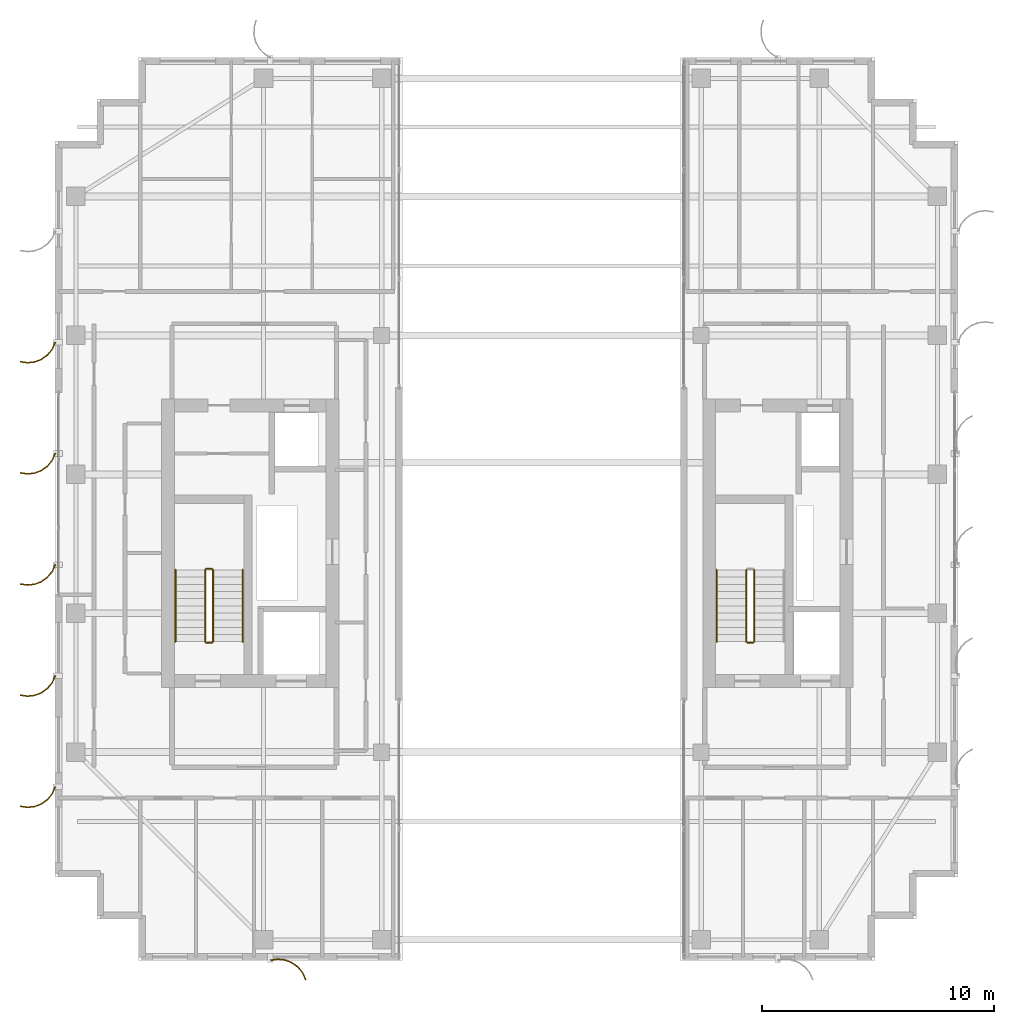
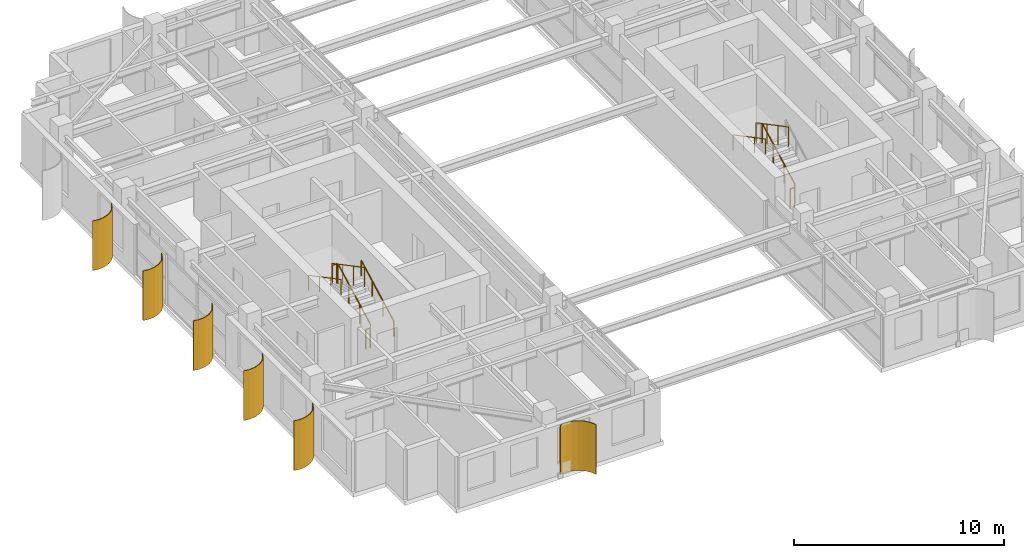
# One storey, part 23 of 25: 10 railings, 6 shading devices.
"""IFC4 building model written with IfcOpenShell, lengths in metres."""

from ifc_helpers import new_model, si_unit, direction, frame, origin, origin_2d, place, context, subcontext, project, spatial, polyline, circle, outline, extrude, source, transform, mapped, material, layer, layer_set, type_object, element, save


model = new_model("IFC4")

# Units and contexts
model_context = context("Model", 3, precision=1e-05, world=origin(), true_north=direction((0.0, 1.0)))
body_context = subcontext(model_context, "Body", "Model", "MODEL_VIEW")
ifc_project = project(units=[si_unit("LENGTHUNIT", "METRE"), si_unit("AREAUNIT", "SQUARE_METRE"), si_unit("VOLUMEUNIT", "CUBIC_METRE"), si_unit("PLANEANGLEUNIT", "RADIAN"), si_unit("MASSUNIT", "GRAM", prefix="KILO")], contexts=[model_context])

# Site, building, storey
site_placement = place(None, origin())
site = spatial("IfcSite", under=ifc_project, at=site_placement, CompositionType="ELEMENT")
building_placement = place(site_placement, origin())
building = spatial("IfcBuilding", under=site, at=building_placement, Name="Khoralis Quay Care Tower", CompositionType="ELEMENT")
storey_placement = place(building_placement, frame((0.0, 0.0, 263.699951171875)))
storey = spatial("IfcBuildingStorey", under=building, at=storey_placement, Name="L69", CompositionType="ELEMENT", Elevation=263.699951171875)

# Railings
ifc_material_1 = material(Name="Brushed stainless steel", Category="steel")
railing_type_1 = type_object("IfcRailingType", Name="RL-GUARD-1150", PredefinedType="GUARDRAIL", material=ifc_material_1)
railing_1_placement = place(storey_placement, frame((9.820068359375, 16.77001953125, 0.16357421875)))
element("IfcRailing", 1, at=railing_1_placement, inside=storey, type_object=railing_type_1, Name="L69 ST-T1 stair guard 1", PredefinedType="GUARDRAIL", context=body_context, shape_type="SweptSolid", body=[
    extrude(circle(Radius=0.02392578125, at=origin_2d()), frame((0.0, 0.0, 1.1259765625), z_axis=(0.0, 0.884348015382, 0.466828220752), x_axis=(-1.0, 0.0, 0.0)), (0.0, 0.0, 1.0), 3.505615234375),
    extrude(circle(Radius=0.02099609375, at=origin_2d()), origin(), (0.0, 0.0, 1.0), 1.101806640625),
    extrude(circle(Radius=0.02099609375, at=origin_2d()), frame((0.0, 1.033447265625, 0.54541015625)), (0.0, 0.0, 1.0), 1.101806640625),
    extrude(circle(Radius=0.02099609375, at=origin_2d()), frame((0.0, 2.066650390625, 1.091064453125)), (0.0, 0.0, 1.0), 1.101806640625),
    extrude(circle(Radius=0.02099609375, at=origin_2d()), frame((0.0, 3.10009765625, 1.636474609375)), (0.0, 0.0, 1.0), 1.101806640625),
])
railing_2_placement = place(storey_placement, frame((9.77001953125, 19.919921875, 1.800048828125)))
element("IfcRailing", 2, at=railing_2_placement, inside=storey, type_object=railing_type_1, Name="L69 ST-T1 stair guard 2", PredefinedType="GUARDRAIL", context=body_context, shape_type="SweptSolid", body=[
    extrude(circle(Radius=0.02392578125, at=origin_2d()), frame((0.0, 0.0, 1.1259765625), z_axis=(-1.0, 0.0, 0.0), x_axis=(0.0, -1.0, 0.0)), (0.0, 0.0, 1.0), 0.239990234375),
    extrude(circle(Radius=0.02099609375, at=origin_2d()), origin(), (0.0, 0.0, 1.0), 1.101806640625),
    extrude(circle(Radius=0.02099609375, at=origin_2d()), frame((-0.239990234375, 0.0, 0.0)), (0.0, 0.0, 1.0), 1.101806640625),
])
railing_3_placement = place(storey_placement, frame((9.47998046875, 19.8701171875, 1.963623046875)))
element("IfcRailing", 3, at=railing_3_placement, inside=storey, type_object=railing_type_1, Name="L69 ST-T1 stair guard 3", PredefinedType="GUARDRAIL", context=body_context, shape_type="SweptSolid", body=[
    extrude(circle(Radius=0.02392578125, at=origin_2d()), frame((0.0, 0.0, 1.1259765625), z_axis=(0.0, -0.884348015382, 0.466828220752), x_axis=(1.0, 0.0, 0.0)), (0.0, 0.0, 1.0), 3.505615234375),
    extrude(circle(Radius=0.02099609375, at=origin_2d()), origin(), (0.0, 0.0, 1.0), 1.101806640625),
    extrude(circle(Radius=0.02099609375, at=origin_2d()), frame((0.0, -1.033447265625, 0.54541015625)), (0.0, 0.0, 1.0), 1.101806640625),
    extrude(circle(Radius=0.02099609375, at=origin_2d()), frame((0.0, -2.066650390625, 1.091064453125)), (0.0, 0.0, 1.0), 1.101806640625),
    extrude(circle(Radius=0.02099609375, at=origin_2d()), frame((0.0, -3.10009765625, 1.636474609375)), (0.0, 0.0, 1.0), 1.101806640625),
])
railing_4_placement = place(storey_placement, frame((9.77001953125, 16.719970703125, 0.0)))
element("IfcRailing", 4, at=railing_4_placement, inside=storey, type_object=railing_type_1, Name="L69 ST-T1 stair guard 4", PredefinedType="GUARDRAIL", context=body_context, shape_type="SweptSolid", body=[
    extrude(circle(Radius=0.02392578125, at=origin_2d()), frame((0.0, 0.0, 1.1259765625), z_axis=(-1.0, 0.0, 0.0), x_axis=(0.0, -1.0, 0.0)), (0.0, 0.0, 1.0), 0.239990234375),
    extrude(circle(Radius=0.02099609375, at=origin_2d()), origin(), (0.0, 0.0, 1.0), 1.101806640625),
    extrude(circle(Radius=0.02099609375, at=origin_2d()), frame((-0.239990234375, 0.0, 0.0)), (0.0, 0.0, 1.0), 1.101806640625),
])
railing_5_placement = place(storey_placement, frame((33.18994140625, 16.77001953125, 0.16357421875)))
element("IfcRailing", 5, at=railing_5_placement, inside=storey, type_object=railing_type_1, Name="L69 ST-T2 stair guard 1", PredefinedType="GUARDRAIL", context=body_context, shape_type="SweptSolid", body=[
    extrude(circle(Radius=0.02392578125, at=origin_2d()), frame((0.0, 0.0, 1.1259765625), z_axis=(0.0, 0.884348015382, 0.466828220752), x_axis=(-1.0, 0.0, 0.0)), (0.0, 0.0, 1.0), 3.505615234375),
    extrude(circle(Radius=0.02099609375, at=origin_2d()), origin(), (0.0, 0.0, 1.0), 1.101806640625),
    extrude(circle(Radius=0.02099609375, at=origin_2d()), frame((0.0, 1.033447265625, 0.54541015625)), (0.0, 0.0, 1.0), 1.101806640625),
    extrude(circle(Radius=0.02099609375, at=origin_2d()), frame((0.0, 2.066650390625, 1.091064453125)), (0.0, 0.0, 1.0), 1.101806640625),
    extrude(circle(Radius=0.02099609375, at=origin_2d()), frame((0.0, 3.10009765625, 1.636474609375)), (0.0, 0.0, 1.0), 1.101806640625),
])
railing_6_placement = place(storey_placement, frame((32.85009765625, 19.8701171875, 1.963623046875)))
element("IfcRailing", 6, at=railing_6_placement, inside=storey, type_object=railing_type_1, Name="L69 ST-T2 stair guard 3", PredefinedType="GUARDRAIL", context=body_context, shape_type="SweptSolid", body=[
    extrude(circle(Radius=0.02392578125, at=origin_2d()), frame((0.0, 0.0, 1.1259765625), z_axis=(0.0, -0.884348015382, 0.466828220752), x_axis=(1.0, 0.0, 0.0)), (0.0, 0.0, 1.0), 3.505615234375),
    extrude(circle(Radius=0.02099609375, at=origin_2d()), origin(), (0.0, 0.0, 1.0), 1.101806640625),
    extrude(circle(Radius=0.02099609375, at=origin_2d()), frame((0.0, -1.033447265625, 0.54541015625)), (0.0, 0.0, 1.0), 1.101806640625),
    extrude(circle(Radius=0.02099609375, at=origin_2d()), frame((0.0, -2.066650390625, 1.091064453125)), (0.0, 0.0, 1.0), 1.101806640625),
    extrude(circle(Radius=0.02099609375, at=origin_2d()), frame((0.0, -3.10009765625, 1.636474609375)), (0.0, 0.0, 1.0), 1.101806640625),
])
railing_7_placement = place(storey_placement, frame((33.139892578125, 16.719970703125, 0.0)))
element("IfcRailing", 7, at=railing_7_placement, inside=storey, type_object=railing_type_1, Name="L69 ST-T2 stair guard 4", PredefinedType="GUARDRAIL", context=body_context, shape_type="SweptSolid", body=[
    extrude(circle(Radius=0.02392578125, at=origin_2d()), frame((0.0, 0.0, 1.1259765625), z_axis=(-1.0, 0.0, 0.0), x_axis=(0.0, -1.0, 0.0)), (0.0, 0.0, 1.0), 0.239990234375),
    extrude(circle(Radius=0.02099609375, at=origin_2d()), origin(), (0.0, 0.0, 1.0), 1.101806640625),
    extrude(circle(Radius=0.02099609375, at=origin_2d()), frame((-0.239990234375, 0.0, 0.0)), (0.0, 0.0, 1.0), 1.101806640625),
])
railing_type_2 = type_object("IfcRailingType", Name="RL-HAND-900", PredefinedType="HANDRAIL", material=ifc_material_1)
railing_8_placement = place(storey_placement, frame((11.10009765625, 16.77001953125, 0.16357421875)))
element("IfcRailing", 8, at=railing_8_placement, inside=storey, type_object=railing_type_2, Name="L69 ST-T1 stair handrail 1", PredefinedType="HANDRAIL", context=body_context, shape_type="SweptSolid", body=[
    extrude(circle(Radius=0.02392578125, at=origin_2d()), frame((0.0, 0.0, 0.8759765625), z_axis=(0.0, 0.884348015382, 0.466828220752), x_axis=(-1.0, 0.0, 0.0)), (0.0, 0.0, 1.0), 3.505615234375),
    extrude(circle(Radius=0.02099609375, at=origin_2d()), origin(), (0.0, 0.0, 1.0), 0.851806640625),
    extrude(circle(Radius=0.02099609375, at=origin_2d()), frame((0.0, 1.033447265625, 0.54541015625)), (0.0, 0.0, 1.0), 0.851806640625),
    extrude(circle(Radius=0.02099609375, at=origin_2d()), frame((0.0, 2.066650390625, 1.091064453125)), (0.0, 0.0, 1.0), 0.851806640625),
    extrude(circle(Radius=0.02099609375, at=origin_2d()), frame((0.0, 3.10009765625, 1.636474609375)), (0.0, 0.0, 1.0), 0.851806640625),
])
for number, where, name in (
    (9, (8.199951171875, 19.8701171875, 1.963623046875), "L69 ST-T1 stair handrail 2"),
    (10, (31.570068359375, 19.8701171875, 1.963623046875), "L69 ST-T2 stair handrail 2"),
):
    element("IfcRailing", number, at=place(storey_placement, frame(where)), inside=storey, type_object=railing_type_2, Name=name, PredefinedType="HANDRAIL", context=body_context, shape_type="SweptSolid", body=[
        extrude(circle(Radius=0.02392578125, at=origin_2d()), frame((0.0, 0.0, 0.8759765625), z_axis=(0.0, -0.884348015382, 0.466828220752), x_axis=(1.0, 0.0, 0.0)), (0.0, 0.0, 1.0), 3.505615234375),
        extrude(circle(Radius=0.02099609375, at=origin_2d()), origin(), (0.0, 0.0, 1.0), 0.851806640625),
        extrude(circle(Radius=0.02099609375, at=origin_2d()), frame((0.0, -1.033447265625, 0.54541015625)), (0.0, 0.0, 1.0), 0.851806640625),
        extrude(circle(Radius=0.02099609375, at=origin_2d()), frame((0.0, -2.066650390625, 1.091064453125)), (0.0, 0.0, 1.0), 0.851806640625),
        extrude(circle(Radius=0.02099609375, at=origin_2d()), frame((0.0, -3.10009765625, 1.636474609375)), (0.0, 0.0, 1.0), 0.851806640625),
    ])

# Shading devices
ifc_material_2 = material(Name="Brushed pale anodised aluminium", Category="aluminium")
ifc_layer = layer(ifc_material_2, 0.044921875)
ifc_layer_set = layer_set([ifc_layer], Name="Brushed pale anodised aluminium")
shading_device_type = type_object("IfcShadingDeviceType", Name="SHD-FIN-1250", PredefinedType="USERDEFINED", material=ifc_layer_set)
shared_shape_1 = source(origin(), body_context, "Body", "SweptSolid", [
    extrude(outline(polyline([(0.0, 0.0), (-0.04833984375, 0.32275390625), (-0.01123046875, 0.64697265625), (0.1083984375, 0.950439453125), (0.302490234375, 1.212890625), (0.557861328125, 1.416015625), (0.85693359375, 1.546142578125), (0.869384765625, 1.5029296875), (0.5810546875, 1.37744140625), (0.334716796875, 1.181640625), (0.147705078125, 0.9287109375), (0.032470703125, 0.635986328125), (-0.003173828125, 0.323486328125), (0.043212890625, 0.012451171875), (0.0, 0.0)])), origin(), (0.0, 0.0, 1.0), 2.89013671875),
])
shading_device_placement = place(storey_placement, frame((12.300048828125, 3.030029296875, 0.02001953125), z_axis=(0.0, 0.0, 1.0), x_axis=(0.0, -1.0, 0.0)))
element("IfcShadingDevice", 11, at=shading_device_placement, inside=storey, type_object=shading_device_type, Name="L69 Curved Solar Fin P1E0-01", ObjectType="FIN", PredefinedType="USERDEFINED", context=body_context, shape_type="MappedRepresentation", body=[
    mapped(shared_shape_1, transform((0.0, 0.0, 0.0), scale=1.0)),
])
shared_shape_2 = source(origin(), body_context, "Body", "SweptSolid", [
    extrude(outline(polyline([(0.0, 0.0), (0.130126953125, 0.29931640625), (0.333251953125, 0.5546875), (0.595458984375, 0.748779296875), (0.899169921875, 0.868408203125), (1.223388671875, 0.9052734375), (1.546142578125, 0.85693359375), (1.53369140625, 0.813720703125), (1.22265625, 0.8603515625), (0.91015625, 0.82470703125), (0.617431640625, 0.70947265625), (0.364501953125, 0.522216796875), (0.168701171875, 0.276123046875), (0.043212890625, -0.012451171875), (0.0, 0.0)])), origin(), (0.0, 0.0, 1.0), 2.89013671875),
])
for number, where, z_axis, x_axis, name in (
    (12, (3.030029296875, 29.699951171875, 0.02001953125), (0.0, 0.0, 1.0), (-1.0, 0.0, 0.0), "L69 Curved Solar Fin P1E7-02"),
    (13, (3.030029296875, 24.89990234375, 0.02001953125), (0.0, 0.0, 1.0), (-1.0, 0.0, 0.0), "L69 Curved Solar Fin P1E7-03"),
    (14, (3.030029296875, 20.10009765625, 0.02001953125), (0.0, 0.0, 1.0), (-1.0, 0.0, 0.0), "L69 Curved Solar Fin P1E7-04"),
    (15, (3.030029296875, 15.300048828125, 0.02001953125), (0.0, 0.0, 1.0), (-1.0, 0.0, 0.0), "L69 Curved Solar Fin P1E7-05"),
    (16, (3.030029296875, 10.5, 0.02001953125), (0.0, 0.0, 1.0), (-1.0, 0.0, 0.0), "L69 Curved Solar Fin P1E7-06"),
):
    element("IfcShadingDevice", number, at=place(storey_placement, frame(where, z_axis=z_axis, x_axis=x_axis)), inside=storey, type_object=shading_device_type, Name=name, ObjectType="FIN", PredefinedType="USERDEFINED", context=body_context, shape_type="MappedRepresentation", body=[
        mapped(shared_shape_2, transform((0.0, 0.0, 0.0), scale=1.0)),
    ])

save(model, "model.ifc")
